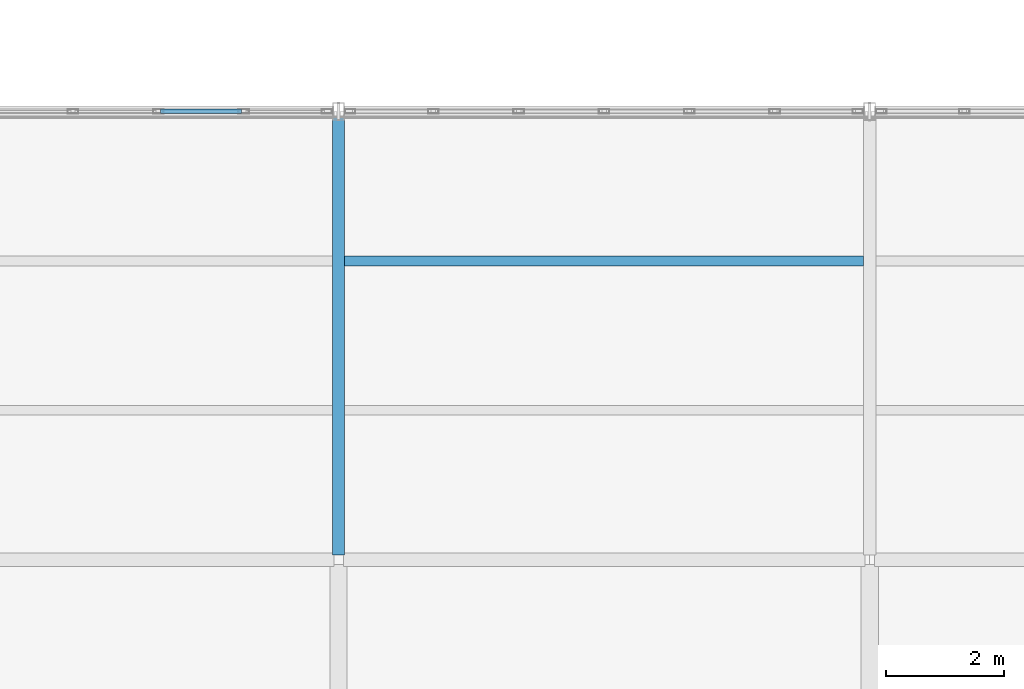
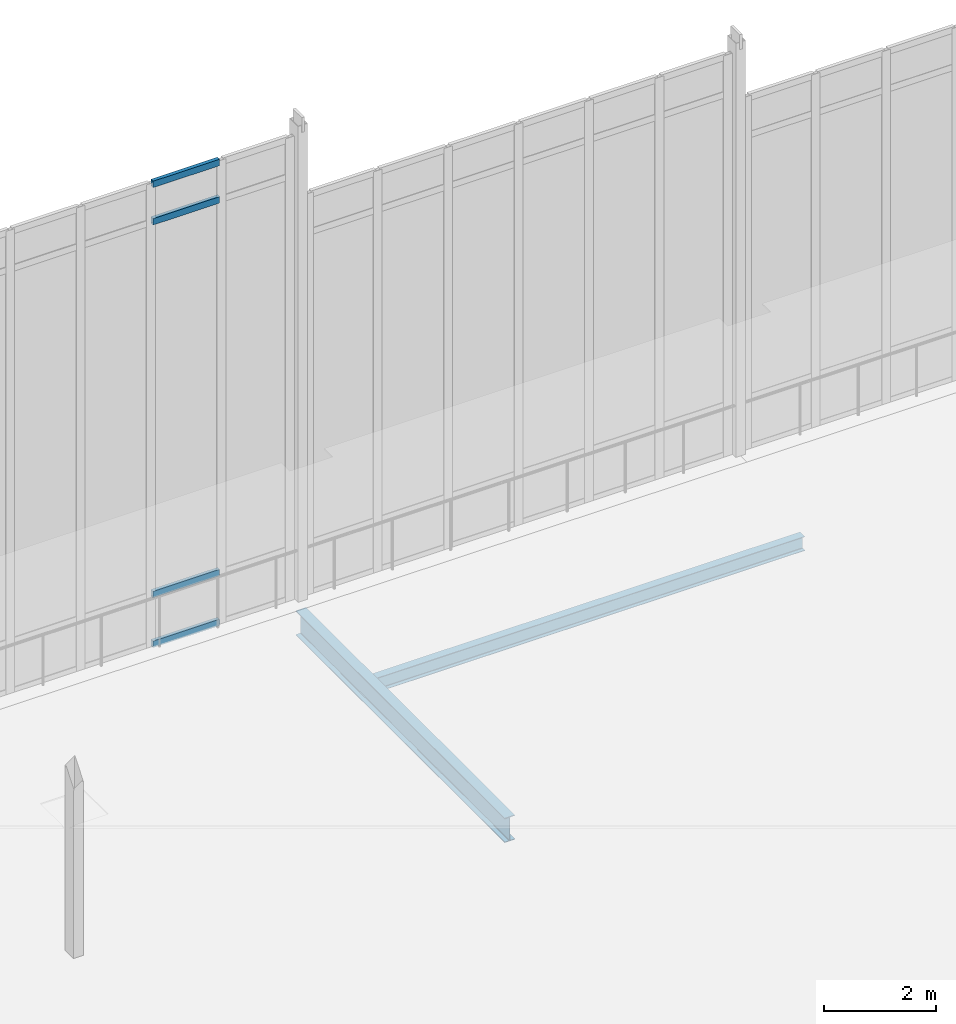
# One storey, part 48 of 166: 4 members, 2 beams, 1 element without a shape of its own.
"""IFC4 building model written with IfcOpenShell, lengths in metres."""

from ifc_helpers import new_model, si_unit, direction, frame, origin, origin_2d, place, context, subcontext, project, spatial, hollow_rectangle, i_section, extrude, material, material_profile, profile_set, type_object, element, aggregate, save


model = new_model("IFC4")

# Units and contexts
model_context = context("Model", 3, precision=1e-05, world=origin(), true_north=direction((0.0, 1.0)))
body_context = subcontext(model_context, "Body", "Model", "MODEL_VIEW")
ifc_project = project(units=[si_unit("LENGTHUNIT", "METRE"), si_unit("AREAUNIT", "SQUARE_METRE"), si_unit("VOLUMEUNIT", "CUBIC_METRE"), si_unit("PLANEANGLEUNIT", "RADIAN"), si_unit("MASSUNIT", "GRAM", prefix="KILO")], contexts=[model_context])

# Site, building, storey
site_placement = place(None, origin())
site = spatial("IfcSite", under=ifc_project, at=site_placement, CompositionType="ELEMENT")
building_placement = place(site_placement, origin())
building = spatial("IfcBuilding", under=site, at=building_placement, Name="Caisbarro Railhouse Central Library", CompositionType="ELEMENT")
storey_placement = place(building_placement, frame((0.0, 0.0, 9.360107421875)))
storey = spatial("IfcBuildingStorey", under=building, at=storey_placement, Name="L02", CompositionType="ELEMENT", Elevation=9.360107421875)

# Beams
ifc_material_1 = material(Name="Steel ASTM A572 Grade 50", Category="steel")
ifc_material_profile_1 = material_profile(ifc_material_1, i_section(OverallWidth=0.208984375, OverallDepth=0.532958984375, WebThickness=0.01025390625, FlangeThickness=0.015625, FilletRadius=0.02001953125, at=origin_2d()), Name="W530X92.0")
ifc_profile_set_1 = profile_set([ifc_material_profile_1], Name="Steel ASTM A572 Grade 50")
beam_type_1 = type_object("IfcBeamType", Name="BM-G06", PredefinedType="BEAM", material=ifc_profile_set_1)
beam_1_placement = place(storey_placement, frame((27.0, 53.280029296875, -0.486572265625), z_axis=(0.0, 1.0, 0.0), x_axis=(-1.0, 0.0, 0.0)))
element("IfcBeam", 1, at=beam_1_placement, inside=storey, type_object=beam_type_1, Name="G06 beam L02 #1401", PredefinedType="BEAM", context=body_context, shape_type="SweptSolid", body=[
    extrude(i_section(OverallWidth=0.208984375, OverallDepth=0.532958984375, WebThickness=0.01025390625, FlangeThickness=0.015625, FilletRadius=0.02001953125, at=origin_2d()), origin(), (0.0, 0.0, 1.0), 7.43994140625),
])
ifc_material_profile_2 = material_profile(ifc_material_1, i_section(OverallWidth=0.1650390625, OverallDepth=0.31005859375, WebThickness=0.005859375, FlangeThickness=0.009765625, FilletRadius=0.011962890625, at=origin_2d()), Name="W310X38.7")
ifc_profile_set_2 = profile_set([ifc_material_profile_2], Name="Steel ASTM A572 Grade 50")
beam_type_2 = type_object("IfcBeamType", Name="BM-J03", PredefinedType="JOIST", material=ifc_profile_set_2)
beam_2_placement = place(storey_placement, frame((27.1044921875, 58.2666015625, -0.375), z_axis=(1.0, 0.0, 0.0), x_axis=(0.0, 1.0, 0.0)))
element("IfcBeam", 2, at=beam_2_placement, inside=storey, type_object=beam_type_2, Name="J03 beam L02 #1449", PredefinedType="JOIST", context=body_context, shape_type="SweptSolid", body=[
    extrude(i_section(OverallWidth=0.1650390625, OverallDepth=0.31005859375, WebThickness=0.005859375, FlangeThickness=0.009765625, FilletRadius=0.011962890625, at=origin_2d()), origin(), (0.0, 0.0, 1.0), 8.791015625),
])

# Curtain wall, members
ifc_material_2 = material(Name="Anodised architectural aluminium", Category="aluminium")
curtain_wall_type = type_object("IfcCurtainWallType", Name="CW-CW05", PredefinedType="NOTDEFINED", material=ifc_material_2)
curtain_wall_placement = place(storey_placement, origin())
curtain_wall = element("IfcCurtainWall", 3, at=curtain_wall_placement, inside=storey, type_object=curtain_wall_type, Name="CW05 curtain wall L02 #8", PredefinedType="NOTDEFINED")
ifc_material_profile_3 = material_profile(ifc_material_2, hollow_rectangle(XDim=0.074951171875, YDim=0.139892578125, WallThickness=0.00390625, at=origin_2d()), Name="ALU-TRN-75X140")
ifc_profile_set_3 = profile_set([ifc_material_profile_3], Name="Anodised architectural aluminium")
member_type = type_object("IfcMemberType", Name="CWT-T01", PredefinedType="USERDEFINED", material=ifc_profile_set_3)
member_1_placement = place(storey_placement, frame((23.984130859375, 60.800048828125, 0.037353515625), z_axis=(1.0, 0.0, 0.0), x_axis=(0.0, 1.0, 0.0)))
member_1 = element("IfcMember", 4, at=member_1_placement, type_object=member_type, Name="CW05 transom 5.1", ObjectType="TRANSOM", PredefinedType="USERDEFINED", context=body_context, shape_type="SweptSolid", body=[
    extrude(hollow_rectangle(XDim=0.074951171875, YDim=0.139892578125, WallThickness=0.00390625, at=origin_2d()), origin(), (0.0, 0.0, 1.0), 1.37158203125),
])
member_2_placement = place(storey_placement, frame((23.984130859375, 60.800048828125, 1.119873046875), z_axis=(1.0, 0.0, 0.0), x_axis=(0.0, 1.0, 0.0)))
member_2 = element("IfcMember", 5, at=member_2_placement, type_object=member_type, Name="CW05 transom 5.2", ObjectType="TRANSOM", PredefinedType="USERDEFINED", context=body_context, shape_type="SweptSolid", body=[
    extrude(hollow_rectangle(XDim=0.074951171875, YDim=0.139892578125, WallThickness=0.00390625, at=origin_2d()), origin(), (0.0, 0.0, 1.0), 1.37158203125),
])
member_3_placement = place(storey_placement, frame((23.984130859375, 60.800048828125, 9.219970703125), z_axis=(1.0, 0.0, 0.0), x_axis=(0.0, 1.0, 0.0)))
member_3 = element("IfcMember", 6, at=member_3_placement, type_object=member_type, Name="CW05 transom 5.3", ObjectType="TRANSOM", PredefinedType="USERDEFINED", context=body_context, shape_type="SweptSolid", body=[
    extrude(hollow_rectangle(XDim=0.074951171875, YDim=0.139892578125, WallThickness=0.00390625, at=origin_2d()), origin(), (0.0, 0.0, 1.0), 1.37158203125),
])
member_4_placement = place(storey_placement, frame((23.984130859375, 60.800048828125, 10.032470703125), z_axis=(1.0, 0.0, 0.0), x_axis=(0.0, 1.0, 0.0)))
member_4 = element("IfcMember", 7, at=member_4_placement, type_object=member_type, Name="CW05 transom 5.4", ObjectType="TRANSOM", PredefinedType="USERDEFINED", context=body_context, shape_type="SweptSolid", body=[
    extrude(hollow_rectangle(XDim=0.074951171875, YDim=0.139892578125, WallThickness=0.00390625, at=origin_2d()), origin(), (0.0, 0.0, 1.0), 1.37158203125),
])
aggregate(curtain_wall, [member_1, member_2, member_3, member_4])

save(model, "model.ifc")
